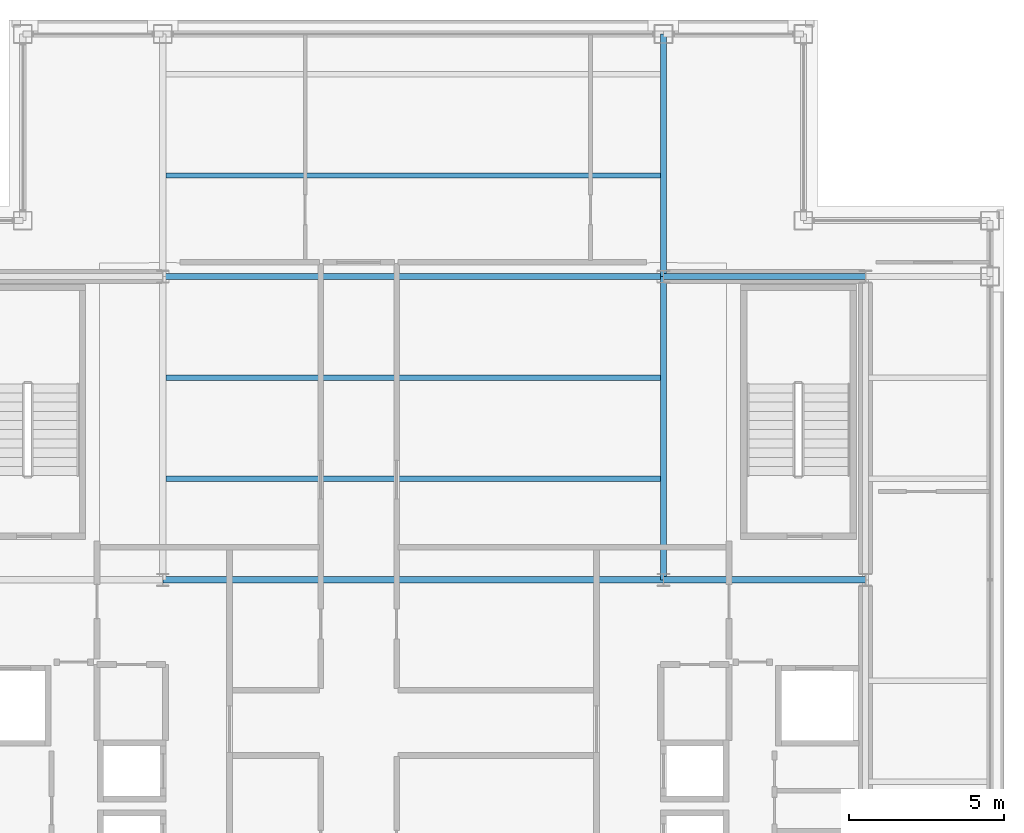
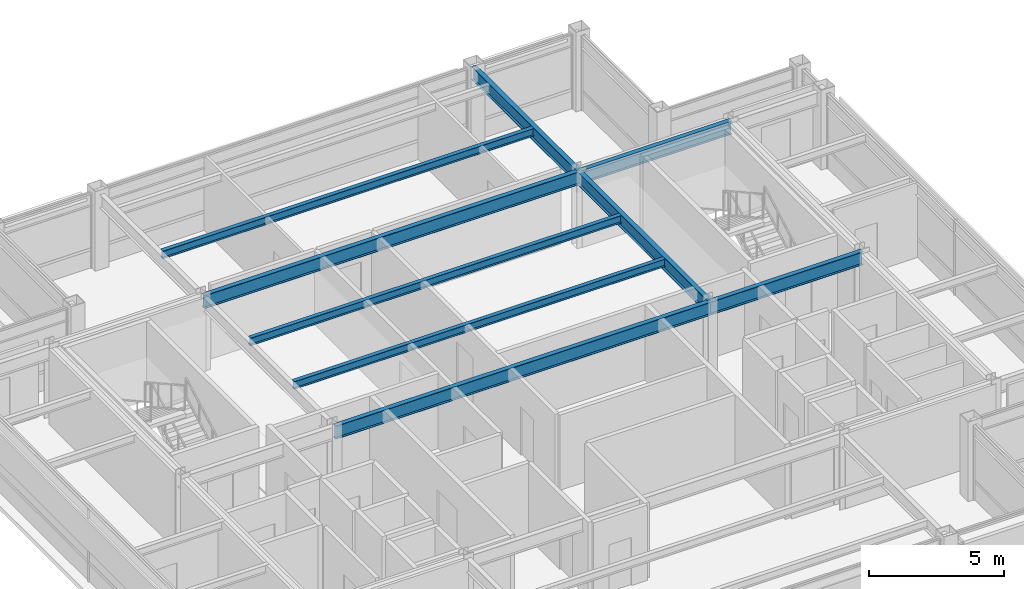
# One storey, part 9 of 22: 9 beams.
"""IFC4 building model written with IfcOpenShell, lengths in metres."""

from ifc_helpers import new_model, si_unit, direction, frame, origin, origin_2d, place, context, subcontext, project, spatial, i_section, extrude, material, material_profile, profile_set, type_object, element, save


model = new_model("IFC4")

# Units and contexts
model_context = context("Model", 3, precision=1e-05, world=origin(), true_north=direction((0.0, 1.0)))
body_context = subcontext(model_context, "Body", "Model", "MODEL_VIEW")
ifc_project = project(units=[si_unit("LENGTHUNIT", "METRE"), si_unit("AREAUNIT", "SQUARE_METRE"), si_unit("VOLUMEUNIT", "CUBIC_METRE"), si_unit("PLANEANGLEUNIT", "RADIAN"), si_unit("MASSUNIT", "GRAM", prefix="KILO")], contexts=[model_context])

# Site, building, storey
site_placement = place(None, origin())
site = spatial("IfcSite", under=ifc_project, at=site_placement, CompositionType="ELEMENT")
building_placement = place(site_placement, origin())
building = spatial("IfcBuilding", under=site, at=building_placement, Name="Brelmoor Portico Tower", CompositionType="ELEMENT")
storey_placement = place(building_placement, frame((0.0, 0.0, 280.800048828125)))
storey = spatial("IfcBuildingStorey", under=building, at=storey_placement, Name="L74", CompositionType="ELEMENT", Elevation=280.800048828125)

# Beams
ifc_material = material(Name="Steel Q355B", Category="steel")
ifc_material_profile_1 = material_profile(ifc_material, i_section(OverallWidth=0.175048828125, OverallDepth=0.35009765625, WebThickness=0.007080078125, FlangeThickness=0.010986328125, at=origin_2d()), Name="HN 350x175x7x11")
ifc_profile_set_1 = profile_set([ifc_material_profile_1], Name="Steel Q355B")
beam_type_1 = type_object("IfcBeamType", Name="BM-JS-350", PredefinedType="JOIST", material=ifc_profile_set_1)
for number, where, z_axis, x_axis, name in (
    (1, (-7.949951171875, 3.25, 3.224853515625), (1.0, 0.0, 0.0), (0.0, 1.0, 0.0), "L74 Secondary Composite Joist JS-C03"),
    (2, (-7.949951171875, 6.5, 3.224853515625), (1.0, 0.0, 0.0), (0.0, 1.0, 0.0), "L74 Secondary Composite Joist JS-C04"),
    (3, (-7.949951171875, 13.0, 3.224853515625), (1.0, 0.0, 0.0), (0.0, 1.0, 0.0), "L74 Secondary Composite Joist JS-C05"),
):
    element("IfcBeam", number, at=place(storey_placement, frame(where, z_axis=z_axis, x_axis=x_axis)), inside=storey, type_object=beam_type_1, Name=name, PredefinedType="JOIST", context=body_context, shape_type="SweptSolid", body=[
        extrude(i_section(OverallWidth=0.175048828125, OverallDepth=0.35009765625, WebThickness=0.007080078125, FlangeThickness=0.010986328125, at=origin_2d()), origin(), (0.0, 0.0, 1.0), 15.89990234375),
    ])
ifc_material_profile_2 = material_profile(ifc_material, i_section(OverallWidth=0.199951171875, OverallDepth=0.60009765625, WebThickness=0.010986328125, FlangeThickness=0.01708984375, at=origin_2d()), Name="HN 600x200x11x17")
ifc_profile_set_2 = profile_set([ifc_material_profile_2], Name="Steel Q355B")
beam_type_2 = type_object("IfcBeamType", Name="BM-PG-600", PredefinedType="BEAM", material=ifc_profile_set_2)
beam_1_placement = place(storey_placement, frame((8.050048828125, 0.0, 3.099853515625), z_axis=(0.0, 1.0, 0.0), x_axis=(-1.0, 0.0, 0.0)))
element("IfcBeam", 4, at=beam_1_placement, inside=storey, type_object=beam_type_2, Name="L74 Primary Floor Girder PG-07", PredefinedType="BEAM", context=body_context, shape_type="SweptSolid", body=[
    extrude(i_section(OverallWidth=0.199951171875, OverallDepth=0.60009765625, WebThickness=0.010986328125, FlangeThickness=0.01708984375, at=origin_2d()), origin(), (0.0, 0.0, 1.0), 9.75),
])
beam_2_placement = place(storey_placement, frame((8.050048828125, 9.75, 3.099853515625), z_axis=(0.0, 1.0, 0.0), x_axis=(-1.0, 0.0, 0.0)))
element("IfcBeam", 5, at=beam_2_placement, inside=storey, type_object=beam_type_2, Name="L74 Primary Floor Girder PG-08", PredefinedType="BEAM", context=body_context, shape_type="SweptSolid", body=[
    extrude(i_section(OverallWidth=0.199951171875, OverallDepth=0.60009765625, WebThickness=0.010986328125, FlangeThickness=0.01708984375, at=origin_2d()), origin(), (0.0, 0.0, 1.0), 7.800048828125),
])
beam_3_placement = place(storey_placement, frame((-8.050048828125, 0.0, 3.099853515625), z_axis=(1.0, 0.0, 0.0), x_axis=(0.0, 1.0, 0.0)))
element("IfcBeam", 6, at=beam_3_placement, inside=storey, type_object=beam_type_2, Name="L74 Primary Floor Girder PG-17", PredefinedType="BEAM", context=body_context, shape_type="SweptSolid", body=[
    extrude(i_section(OverallWidth=0.199951171875, OverallDepth=0.60009765625, WebThickness=0.010986328125, FlangeThickness=0.01708984375, at=origin_2d()), origin(), (0.0, 0.0, 1.0), 16.10009765625),
])
beam_4_placement = place(storey_placement, frame((8.050048828125, 0.0, 3.099853515625), z_axis=(1.0, 0.0, 0.0), x_axis=(0.0, 1.0, 0.0)))
element("IfcBeam", 7, at=beam_4_placement, inside=storey, type_object=beam_type_2, Name="L74 Primary Floor Girder PG-18", PredefinedType="BEAM", context=body_context, shape_type="SweptSolid", body=[
    extrude(i_section(OverallWidth=0.199951171875, OverallDepth=0.60009765625, WebThickness=0.010986328125, FlangeThickness=0.01708984375, at=origin_2d()), origin(), (0.0, 0.0, 1.0), 6.5),
])
beam_5_placement = place(storey_placement, frame((-8.050048828125, 9.75, 3.099853515625), z_axis=(1.0, 0.0, 0.0), x_axis=(0.0, 1.0, 0.0)))
element("IfcBeam", 8, at=beam_5_placement, inside=storey, type_object=beam_type_2, Name="L74 Primary Floor Girder PG-21", PredefinedType="BEAM", context=body_context, shape_type="SweptSolid", body=[
    extrude(i_section(OverallWidth=0.199951171875, OverallDepth=0.60009765625, WebThickness=0.010986328125, FlangeThickness=0.01708984375, at=origin_2d()), origin(), (0.0, 0.0, 1.0), 16.10009765625),
])
beam_6_placement = place(storey_placement, frame((8.050048828125, 9.75, 3.099853515625), z_axis=(1.0, 0.0, 0.0), x_axis=(0.0, 1.0, 0.0)))
element("IfcBeam", 9, at=beam_6_placement, inside=storey, type_object=beam_type_2, Name="L74 Primary Floor Girder PG-22", PredefinedType="BEAM", context=body_context, shape_type="SweptSolid", body=[
    extrude(i_section(OverallWidth=0.199951171875, OverallDepth=0.60009765625, WebThickness=0.010986328125, FlangeThickness=0.01708984375, at=origin_2d()), origin(), (0.0, 0.0, 1.0), 6.5),
])

save(model, "model.ifc")
